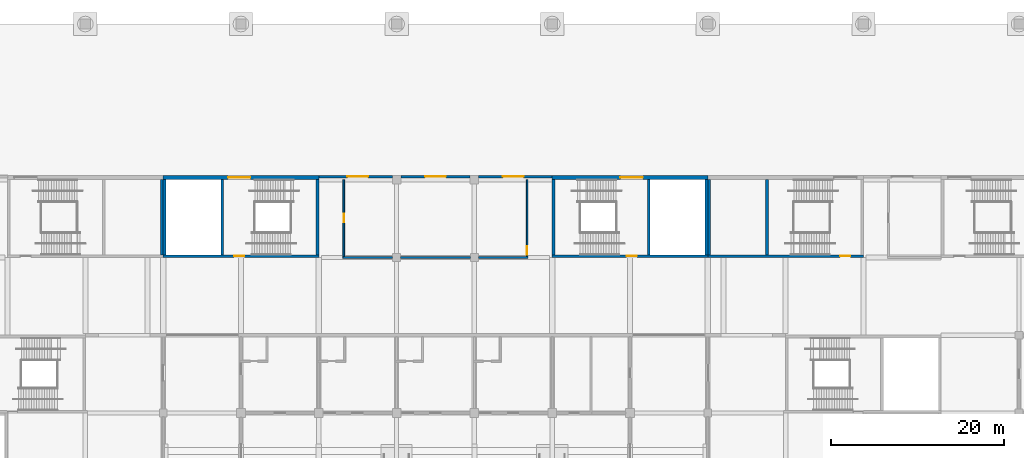
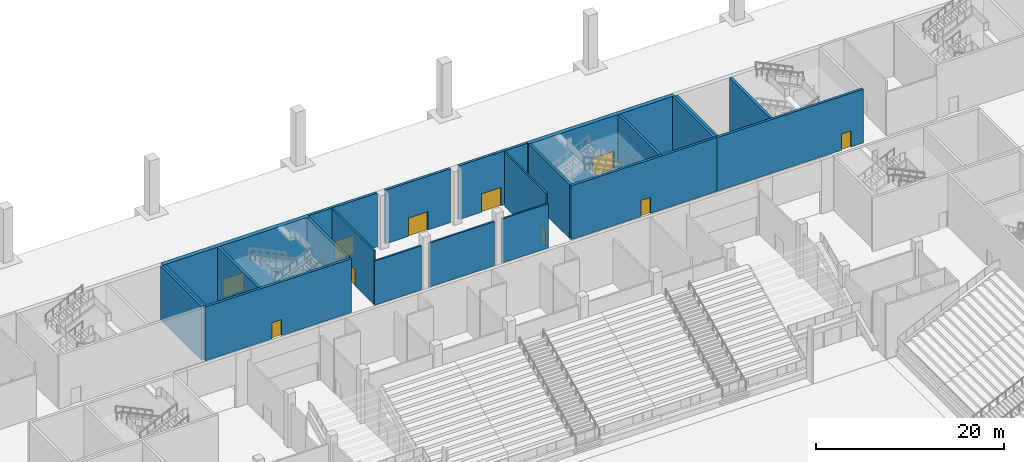
# One storey, part 40 of 92: 22 walls, 10 doors, 10 openings.
"""IFC4 building model written with IfcOpenShell, lengths in metres."""

from ifc_helpers import new_model, si_unit, direction, frame, frame_2d, origin, place, context, subcontext, project, spatial, rectangle, extrude, material, layer, layer_set, type_object, element, fill, save


model = new_model("IFC4")

# Units and contexts
model_context = context("Model", 3, precision=1e-05, world=origin(), true_north=direction((0.0, 1.0)))
body_context = subcontext(model_context, "Body", "Model", "MODEL_VIEW")
ifc_project = project(units=[si_unit("LENGTHUNIT", "METRE"), si_unit("AREAUNIT", "SQUARE_METRE"), si_unit("VOLUMEUNIT", "CUBIC_METRE"), si_unit("PLANEANGLEUNIT", "RADIAN"), si_unit("MASSUNIT", "GRAM", prefix="KILO")], contexts=[model_context])

# Site, building, storey
site_placement = place(None, origin())
site = spatial("IfcSite", under=ifc_project, at=site_placement, CompositionType="ELEMENT")
building_placement = place(site_placement, origin())
building = spatial("IfcBuilding", under=site, at=building_placement, Name="Silverbay Arena", CompositionType="ELEMENT")
storey_placement = place(building_placement, origin())
storey = spatial("IfcBuildingStorey", under=building, at=storey_placement, Name="L00", CompositionType="ELEMENT", Elevation=0.0)

# Wall, opening, door
ifc_material_1 = material(Name="Concrete Grade C45 precast, board-marked finish", Category="concrete")
ifc_layer_1 = layer(ifc_material_1, 0.300048828125)
ifc_layer_set_1 = layer_set([ifc_layer_1], Name="Concrete Grade C45 precast, board-marked finish")
wall_type_1 = type_object("IfcWallType", Name="Board-marked precast wall 300", PredefinedType="SOLIDWALL", material=ifc_layer_set_1)
wall_1_placement = place(storey_placement, frame((125.5, 144.35009765625, 0.0), z_axis=(0.0, 0.0, 1.0), x_axis=(-1.0, 0.0, 0.0)))
wall_1 = element("IfcWall", 1, at=wall_1_placement, inside=storey, type_object=wall_type_1, Name="North external wall L00 bay 11", PredefinedType="SOLIDWALL", context=body_context, shape_type="SweptSolid", body=[
    extrude(rectangle(XDim=8.5, YDim=0.300048828125, at=frame_2d((4.25, 0.0))), origin(), (0.0, 0.0, 1.0), 7.0),
])
opening_1_placement = place(wall_1_placement, frame((2.800048828125, 0.0, 0.0)))
opening_1 = element("IfcOpeningElement", 2, at=opening_1_placement, cuts=wall_1, Name="Opening L00-132", PredefinedType="OPENING", context=body_context, shape_type="SweptSolid", body=[
    extrude(rectangle(XDim=2.39990234375, YDim=2.39990234375, at=frame_2d((1.199951171875, 1.199951171875))), frame((0.0, 0.16015625, 0.0), z_axis=(0.0, -1.0, 0.0), x_axis=(1.0, 0.0, 0.0)), (0.0, 0.0, 1.0), 0.320068359375),
])
ifc_material_2 = material(Name="Steel", Category="steel")
door_type_1 = type_object("IfcDoorType", Name="Exit gate door 2400 x 2400", OperationType="DOUBLE_DOOR_SINGLE_SWING", PredefinedType="DOOR", material=ifc_material_2)
door_1_placement = place(opening_1_placement, frame((2.39990234375, 0.0, 0.0), z_axis=(0.0, 0.0, 1.0), x_axis=(-1.0, 0.0, 0.0)))
door_1 = element("IfcDoor", 3, at=door_1_placement, inside=storey, type_object=door_type_1, Name="Pedestrian exit gate G32", OperationType="DOUBLE_DOOR_SINGLE_SWING", OverallHeight=2.39990234375, OverallWidth=2.39990234375, PredefinedType="DOOR", context=body_context, shape_type="SweptSolid", body=[
    extrude(rectangle(XDim=2.39990234375, YDim=2.39990234375, at=frame_2d((1.199951171875, 1.199951171875))), frame((0.0, 0.02490234375, 0.0), z_axis=(0.0, -1.0, 0.0), x_axis=(1.0, 0.0, 0.0)), (0.0, 0.0, 1.0), 0.050048828125),
])
fill(opening_1, door_1)

wall_2_placement = place(storey_placement, frame((134.5, 144.35009765625, 0.0), z_axis=(0.0, 0.0, 1.0), x_axis=(-1.0, 0.0, 0.0)))
wall_2 = element("IfcWall", 4, at=wall_2_placement, inside=storey, type_object=wall_type_1, Name="North external wall L00 bay 12", PredefinedType="SOLIDWALL", context=body_context, shape_type="SweptSolid", body=[
    extrude(rectangle(XDim=8.0, YDim=0.300048828125, at=frame_2d((4.0, 0.0))), origin(), (0.0, 0.0, 1.0), 7.0),
])
opening_2_placement = place(wall_2_placement, frame((2.800048828125, 0.0, 0.0)))
opening_2 = element("IfcOpeningElement", 5, at=opening_2_placement, cuts=wall_2, Name="Opening L00-133", PredefinedType="OPENING", context=body_context, shape_type="SweptSolid", body=[
    extrude(rectangle(XDim=2.39990234375, YDim=2.39990234375, at=frame_2d((1.199951171875, 1.199951171875))), frame((0.0, 0.16015625, 0.0), z_axis=(0.0, -1.0, 0.0), x_axis=(1.0, 0.0, 0.0)), (0.0, 0.0, 1.0), 0.320068359375),
])
door_2_placement = place(opening_2_placement, frame((2.39990234375, 0.0, 0.0), z_axis=(0.0, 0.0, 1.0), x_axis=(-1.0, 0.0, 0.0)))
door_2 = element("IfcDoor", 6, at=door_2_placement, inside=storey, type_object=door_type_1, Name="Pedestrian exit gate G33", OperationType="DOUBLE_DOOR_SINGLE_SWING", OverallHeight=2.39990234375, OverallWidth=2.39990234375, PredefinedType="DOOR", context=body_context, shape_type="SweptSolid", body=[
    extrude(rectangle(XDim=2.39990234375, YDim=2.39990234375, at=frame_2d((1.199951171875, 1.199951171875))), frame((0.0, 0.02490234375, 0.0), z_axis=(0.0, -1.0, 0.0), x_axis=(1.0, 0.0, 0.0)), (0.0, 0.0, 1.0), 0.050048828125),
])
fill(opening_2, door_2)

wall_3_placement = place(storey_placement, frame((144.0, 144.35009765625, 0.0), z_axis=(0.0, 0.0, 1.0), x_axis=(-1.0, 0.0, 0.0)))
wall_3 = element("IfcWall", 7, at=wall_3_placement, inside=storey, type_object=wall_type_1, Name="North external wall L00 bay 13", PredefinedType="SOLIDWALL", context=body_context, shape_type="SweptSolid", body=[
    extrude(rectangle(XDim=8.5, YDim=0.300048828125, at=frame_2d((4.25, 0.0))), origin(), (0.0, 0.0, 1.0), 7.0),
])
opening_3_placement = place(wall_3_placement, frame((3.300048828125, 0.0, 0.0)))
opening_3 = element("IfcOpeningElement", 8, at=opening_3_placement, cuts=wall_3, Name="Opening L00-134", PredefinedType="OPENING", context=body_context, shape_type="SweptSolid", body=[
    extrude(rectangle(XDim=2.39990234375, YDim=2.39990234375, at=frame_2d((1.199951171875, 1.199951171875))), frame((0.0, 0.16015625, 0.0), z_axis=(0.0, -1.0, 0.0), x_axis=(1.0, 0.0, 0.0)), (0.0, 0.0, 1.0), 0.320068359375),
])
door_3_placement = place(opening_3_placement, frame((2.39990234375, 0.0, 0.0), z_axis=(0.0, 0.0, 1.0), x_axis=(-1.0, 0.0, 0.0)))
door_3 = element("IfcDoor", 9, at=door_3_placement, inside=storey, type_object=door_type_1, Name="Pedestrian exit gate G34", OperationType="DOUBLE_DOOR_SINGLE_SWING", OverallHeight=2.39990234375, OverallWidth=2.39990234375, PredefinedType="DOOR", context=body_context, shape_type="SweptSolid", body=[
    extrude(rectangle(XDim=2.39990234375, YDim=2.39990234375, at=frame_2d((1.199951171875, 1.199951171875))), frame((0.0, 0.02490234375, 0.0), z_axis=(0.0, -1.0, 0.0), x_axis=(1.0, 0.0, 0.0)), (0.0, 0.0, 1.0), 0.050048828125),
])
fill(opening_3, door_3)

# Wall
ifc_material_3 = material(Name="Concrete Grade C45", Category="concrete")
ifc_layer_2 = layer(ifc_material_3, 0.300048828125)
ifc_layer_set_2 = layer_set([ifc_layer_2], Name="Concrete Grade C45")
wall_type_2 = type_object("IfcWallType", Name="Core wall RC 300 EI 120", PredefinedType="SHEAR", material=ifc_layer_set_2)
wall_4_placement = place(storey_placement, frame((98.85009765625, 135.300048828125, 0.0), z_axis=(0.0, 0.0, 1.0), x_axis=(0.0, 1.0, 0.0)))
element("IfcWall", 10, at=wall_4_placement, inside=storey, type_object=wall_type_2, Name="Core wall ST-N1 L00 end 2", PredefinedType="SHEAR", context=body_context, shape_type="SweptSolid", body=[
    extrude(rectangle(XDim=8.699951171875, YDim=0.300048828125, at=frame_2d((4.35009765625, 0.0))), origin(), (0.0, 0.0, 1.0), 7.0),
])

# Wall, opening, door
wall_5_placement = place(storey_placement, frame((117.0, 135.14990234375, 0.0), z_axis=(0.0, 0.0, 1.0), x_axis=(-1.0, 0.0, 0.0)))
wall_5 = element("IfcWall", 11, at=wall_5_placement, inside=storey, type_object=wall_type_2, Name="Core wall ST-N2 L00 door side", PredefinedType="SHEAR", context=body_context, shape_type="SweptSolid", body=[
    extrude(rectangle(XDim=18.0, YDim=0.300048828125, at=frame_2d((9.0, 0.0))), origin(), (0.0, 0.0, 1.0), 7.0),
])
opening_4_placement = place(wall_5_placement, frame((8.60009765625, 0.0, 0.0)))
opening_4 = element("IfcOpeningElement", 12, at=opening_4_placement, cuts=wall_5, Name="Opening L00-168", PredefinedType="OPENING", context=body_context, shape_type="SweptSolid", body=[
    extrude(rectangle(XDim=1.199951171875, YDim=2.10009765625, at=frame_2d((0.60009765625, 1.050048828125))), frame((0.0, 0.16015625, 0.0), z_axis=(0.0, -1.0, 0.0), x_axis=(1.0, 0.0, 0.0)), (0.0, 0.0, 1.0), 0.320068359375),
])
ifc_material_4 = material(Name="Steel fire door", Category="steel")
door_type_2 = type_object("IfcDoorType", Name="Stair door 1200 x 2100 fire door", OperationType="SINGLE_SWING_LEFT", PredefinedType="DOOR", material=ifc_material_4)
door_4_placement = place(opening_4_placement, frame((1.199951171875, 0.0, 0.0), z_axis=(0.0, 0.0, 1.0), x_axis=(-1.0, 0.0, 0.0)))
door_4 = element("IfcDoor", 13, at=door_4_placement, inside=storey, type_object=door_type_2, Name="Stair door ST-N2 L00", OperationType="SINGLE_SWING_LEFT", OverallHeight=2.10009765625, OverallWidth=1.199951171875, PredefinedType="DOOR", context=body_context, shape_type="SweptSolid", body=[
    extrude(rectangle(XDim=1.199951171875, YDim=2.10009765625, at=frame_2d((0.60009765625, 1.050048828125))), frame((0.0, 0.02490234375, 0.0), z_axis=(0.0, -1.0, 0.0), x_axis=(1.0, 0.0, 0.0)), (0.0, 0.0, 1.0), 0.050048828125),
])
fill(opening_4, door_4)

# Walls
for number, where, z_axis, x_axis, name in (
    (14, (116.85009765625, 135.300048828125, 0.0), (0.0, 0.0, 1.0), (0.0, 1.0, 0.0), "Core wall ST-N2 L00 end 1"),
    (15, (99.14990234375, 135.300048828125, 0.0), (0.0, 0.0, 1.0), (0.0, 1.0, 0.0), "Core wall ST-N2 L00 end 2"),
    (16, (105.85009765625, 135.300048828125, 0.0), (0.0, 0.0, 1.0), (0.0, 1.0, 0.0), "Core wall ST-N2 L00 stair enclosure"),
):
    element("IfcWall", number, at=place(storey_placement, frame(where, z_axis=z_axis, x_axis=x_axis)), inside=storey, type_object=wall_type_2, Name=name, PredefinedType="SHEAR", context=body_context, shape_type="SweptSolid", body=[
        extrude(rectangle(XDim=8.699951171875, YDim=0.300048828125, at=frame_2d((4.35009765625, 0.0))), origin(), (0.0, 0.0, 1.0), 7.0),
    ])

# Wall, opening, door
wall_6_placement = place(storey_placement, frame((144.0, 135.14990234375, 0.0), z_axis=(0.0, 0.0, 1.0), x_axis=(1.0, 0.0, 0.0)))
wall_6 = element("IfcWall", 17, at=wall_6_placement, inside=storey, type_object=wall_type_2, Name="Core wall ST-N3 L00 door side", PredefinedType="SHEAR", context=body_context, shape_type="SweptSolid", body=[
    extrude(rectangle(XDim=18.0, YDim=0.300048828125, at=frame_2d((9.0, 0.0))), origin(), (0.0, 0.0, 1.0), 7.0),
])
opening_5_placement = place(wall_6_placement, frame((8.60009765625, 0.0, 0.0)))
opening_5 = element("IfcOpeningElement", 18, at=opening_5_placement, cuts=wall_6, Name="Opening L00-170", PredefinedType="OPENING", context=body_context, shape_type="SweptSolid", body=[
    extrude(rectangle(XDim=1.199951171875, YDim=2.10009765625, at=frame_2d((0.60009765625, 1.050048828125))), frame((0.0, 0.16015625, 0.0), z_axis=(0.0, -1.0, 0.0), x_axis=(1.0, 0.0, 0.0)), (0.0, 0.0, 1.0), 0.320068359375),
])
door_5_placement = place(opening_5_placement, origin())
door_5 = element("IfcDoor", 19, at=door_5_placement, inside=storey, type_object=door_type_2, Name="Stair door ST-N3 L00", OperationType="SINGLE_SWING_RIGHT", OverallHeight=2.10009765625, OverallWidth=1.199951171875, PredefinedType="DOOR", context=body_context, shape_type="SweptSolid", body=[
    extrude(rectangle(XDim=1.199951171875, YDim=2.10009765625, at=frame_2d((0.60009765625, 1.050048828125))), frame((0.0, 0.02490234375, 0.0), z_axis=(0.0, -1.0, 0.0), x_axis=(1.0, 0.0, 0.0)), (0.0, 0.0, 1.0), 0.050048828125),
])
fill(opening_5, door_5)

# Walls
for number, where, z_axis, x_axis, name in (
    (20, (144.14990234375, 135.300048828125, 0.0), (0.0, 0.0, 1.0), (0.0, 1.0, 0.0), "Core wall ST-N3 L00 end 1"),
    (21, (161.85009765625, 135.300048828125, 0.0), (0.0, 0.0, 1.0), (0.0, 1.0, 0.0), "Core wall ST-N3 L00 end 2"),
    (22, (155.14990234375, 135.300048828125, 0.0), (0.0, 0.0, 1.0), (0.0, 1.0, 0.0), "Core wall ST-N3 L00 stair enclosure"),
):
    element("IfcWall", number, at=place(storey_placement, frame(where, z_axis=z_axis, x_axis=x_axis)), inside=storey, type_object=wall_type_2, Name=name, PredefinedType="SHEAR", context=body_context, shape_type="SweptSolid", body=[
        extrude(rectangle(XDim=8.699951171875, YDim=0.300048828125, at=frame_2d((4.35009765625, 0.0))), origin(), (0.0, 0.0, 1.0), 7.0),
    ])

# Wall, opening, door
wall_7_placement = place(storey_placement, frame((180.0, 135.14990234375, 0.0), z_axis=(0.0, 0.0, 1.0), x_axis=(-1.0, 0.0, 0.0)))
wall_7 = element("IfcWall", 23, at=wall_7_placement, inside=storey, type_object=wall_type_2, Name="Core wall ST-N4 L00 door side", PredefinedType="SHEAR", context=body_context, shape_type="SweptSolid", body=[
    extrude(rectangle(XDim=18.0, YDim=0.300048828125, at=frame_2d((9.0, 0.0))), origin(), (0.0, 0.0, 1.0), 7.0),
])
opening_6_placement = place(wall_7_placement, frame((1.5, 0.0, 0.0)))
opening_6 = element("IfcOpeningElement", 24, at=opening_6_placement, cuts=wall_7, Name="Opening L00-172", PredefinedType="OPENING", context=body_context, shape_type="SweptSolid", body=[
    extrude(rectangle(XDim=1.199951171875, YDim=2.10009765625, at=frame_2d((0.60009765625, 1.050048828125))), frame((0.0, 0.16015625, 0.0), z_axis=(0.0, -1.0, 0.0), x_axis=(1.0, 0.0, 0.0)), (0.0, 0.0, 1.0), 0.320068359375),
])
door_6_placement = place(opening_6_placement, frame((1.199951171875, 0.0, 0.0), z_axis=(0.0, 0.0, 1.0), x_axis=(-1.0, 0.0, 0.0)))
door_6 = element("IfcDoor", 25, at=door_6_placement, inside=storey, type_object=door_type_2, Name="Stair door ST-N4 L00", OperationType="SINGLE_SWING_RIGHT", OverallHeight=2.10009765625, OverallWidth=1.199951171875, PredefinedType="DOOR", context=body_context, shape_type="SweptSolid", body=[
    extrude(rectangle(XDim=1.199951171875, YDim=2.10009765625, at=frame_2d((0.60009765625, 1.050048828125))), frame((0.0, 0.02490234375, 0.0), z_axis=(0.0, -1.0, 0.0), x_axis=(1.0, 0.0, 0.0)), (0.0, 0.0, 1.0), 0.050048828125),
])
fill(opening_6, door_6)

# Walls
for number, where, z_axis, x_axis, name in (
    (26, (162.14990234375, 135.300048828125, 0.0), (0.0, 0.0, 1.0), (0.0, 1.0, 0.0), "Core wall ST-N4 L00 end 2"),
    (27, (168.85009765625, 135.300048828125, 0.0), (0.0, 0.0, 1.0), (0.0, 1.0, 0.0), "Core wall ST-N4 L00 stair enclosure"),
):
    element("IfcWall", number, at=place(storey_placement, frame(where, z_axis=z_axis, x_axis=x_axis)), inside=storey, type_object=wall_type_2, Name=name, PredefinedType="SHEAR", context=body_context, shape_type="SweptSolid", body=[
        extrude(rectangle(XDim=8.699951171875, YDim=0.300048828125, at=frame_2d((4.35009765625, 0.0))), origin(), (0.0, 0.0, 1.0), 7.0),
    ])

# Wall, opening, door
ifc_material_5 = material(Name="Concrete Grade C45", Category="concrete")
ifc_layer_3 = layer(ifc_material_5, 0.5)
ifc_layer_set_3 = layer_set([ifc_layer_3], Name="Concrete Grade C45")
wall_type_3 = type_object("IfcWallType", Name="Core wall RC 500 external EI 120", PredefinedType="SHEAR", material=ifc_layer_set_3)
wall_8_placement = place(storey_placement, frame((117.0, 144.25, 0.0), z_axis=(0.0, 0.0, 1.0), x_axis=(-1.0, 0.0, 0.0)))
wall_8 = element("IfcWall", 28, at=wall_8_placement, inside=storey, type_object=wall_type_3, Name="Core wall ST-N2 L00 facade side", PredefinedType="SHEAR", context=body_context, shape_type="SweptSolid", body=[
    extrude(rectangle(XDim=18.0, YDim=0.5, at=frame_2d((9.0, 0.0))), origin(), (0.0, 0.0, 1.0), 7.0),
])
opening_7_placement = place(wall_8_placement, frame((7.89990234375, 0.0, 0.0)))
opening_7 = element("IfcOpeningElement", 29, at=opening_7_placement, cuts=wall_8, Name="Opening L00-169", PredefinedType="OPENING", context=body_context, shape_type="SweptSolid", body=[
    extrude(rectangle(XDim=2.60009765625, YDim=2.39990234375, at=frame_2d((1.300048828125, 1.199951171875))), frame((0.0, 0.260009765625, 0.0), z_axis=(0.0, -1.0, 0.0), x_axis=(1.0, 0.0, 0.0)), (0.0, 0.0, 1.0), 0.52001953125),
])
ifc_material_6 = material(Name="Steel and glass", Category="steel")
door_type_3 = type_object("IfcDoorType", Name="Exit door double leaf 2600 x 2400", OperationType="DOUBLE_DOOR_SINGLE_SWING", PredefinedType="DOOR", material=ifc_material_6)
door_7_placement = place(opening_7_placement, frame((2.60009765625, 0.0, 0.0), z_axis=(0.0, 0.0, 1.0), x_axis=(-1.0, 0.0, 0.0)))
door_7 = element("IfcDoor", 30, at=door_7_placement, inside=storey, type_object=door_type_3, Name="Pedestrian exit gate G66", OperationType="DOUBLE_DOOR_SINGLE_SWING", OverallHeight=2.39990234375, OverallWidth=2.60009765625, PredefinedType="DOOR", context=body_context, shape_type="SweptSolid", body=[
    extrude(rectangle(XDim=2.60009765625, YDim=2.39990234375, at=frame_2d((1.300048828125, 1.199951171875))), frame((0.0, 0.02490234375, 0.0), z_axis=(0.0, -1.0, 0.0), x_axis=(1.0, 0.0, 0.0)), (0.0, 0.0, 1.0), 0.050048828125),
])
fill(opening_7, door_7)

wall_9_placement = place(storey_placement, frame((144.0, 144.25, 0.0), z_axis=(0.0, 0.0, 1.0), x_axis=(1.0, 0.0, 0.0)))
wall_9 = element("IfcWall", 31, at=wall_9_placement, inside=storey, type_object=wall_type_3, Name="Core wall ST-N3 L00 facade side", PredefinedType="SHEAR", context=body_context, shape_type="SweptSolid", body=[
    extrude(rectangle(XDim=18.0, YDim=0.5, at=frame_2d((9.0, 0.0))), origin(), (0.0, 0.0, 1.0), 7.0),
])
opening_8_placement = place(wall_9_placement, frame((7.89990234375, 0.0, 0.0)))
opening_8 = element("IfcOpeningElement", 32, at=opening_8_placement, cuts=wall_9, Name="Opening L00-171", PredefinedType="OPENING", context=body_context, shape_type="SweptSolid", body=[
    extrude(rectangle(XDim=2.60009765625, YDim=2.39990234375, at=frame_2d((1.300048828125, 1.199951171875))), frame((0.0, 0.260009765625, 0.0), z_axis=(0.0, -1.0, 0.0), x_axis=(1.0, 0.0, 0.0)), (0.0, 0.0, 1.0), 0.52001953125),
])
door_8_placement = place(opening_8_placement, origin())
door_8 = element("IfcDoor", 33, at=door_8_placement, inside=storey, type_object=door_type_3, Name="Pedestrian exit gate G67", OperationType="DOUBLE_DOOR_SINGLE_SWING", OverallHeight=2.39990234375, OverallWidth=2.60009765625, PredefinedType="DOOR", context=body_context, shape_type="SweptSolid", body=[
    extrude(rectangle(XDim=2.60009765625, YDim=2.39990234375, at=frame_2d((1.300048828125, 1.199951171875))), frame((0.0, 0.02490234375, 0.0), z_axis=(0.0, -1.0, 0.0), x_axis=(1.0, 0.0, 0.0)), (0.0, 0.0, 1.0), 0.050048828125),
])
fill(opening_8, door_8)

# Walls
ifc_material_7 = material(Name="Masonry blockwork partition", Category="masonry")
ifc_layer_4 = layer(ifc_material_7, 0.199951171875)
ifc_layer_set_4 = layer_set([ifc_layer_4], Name="Masonry blockwork partition")
wall_type_4 = type_object("IfcWallType", Name="Partition 200 EI 120", PredefinedType="PARTITIONING", material=ifc_layer_set_4)
wall_10_placement = place(storey_placement, frame((135.449951171875, 135.0, 0.0), z_axis=(0.0, 0.0, 1.0), x_axis=(1.0, 0.0, 0.0)))
element("IfcWall", 34, at=wall_10_placement, inside=storey, type_object=wall_type_4, Name="Partition wall", PredefinedType="PARTITIONING", context=body_context, shape_type="SweptSolid", body=[
    extrude(rectangle(XDim=5.75, YDim=0.199951171875, at=frame_2d((2.875, 0.0))), origin(), (0.0, 0.0, 1.0), 5.75),
])
wall_11_placement = place(storey_placement, frame((126.449951171875, 135.0, 0.0), z_axis=(0.0, 0.0, 1.0), x_axis=(1.0, 0.0, 0.0)))
element("IfcWall", 35, at=wall_11_placement, inside=storey, type_object=wall_type_4, Name="Partition wall", PredefinedType="PARTITIONING", context=body_context, shape_type="SweptSolid", body=[
    extrude(rectangle(XDim=8.10009765625, YDim=0.199951171875, at=frame_2d((4.050048828125, 0.0))), origin(), (0.0, 0.0, 1.0), 5.75),
])
wall_12_placement = place(storey_placement, frame((119.800048828125, 135.0, 0.0), z_axis=(0.0, 0.0, 1.0), x_axis=(1.0, 0.0, 0.0)))
element("IfcWall", 36, at=wall_12_placement, inside=storey, type_object=wall_type_4, Name="Partition wall", PredefinedType="PARTITIONING", context=body_context, shape_type="SweptSolid", body=[
    extrude(rectangle(XDim=5.75, YDim=0.199951171875, at=frame_2d((2.875, 0.0))), origin(), (0.0, 0.0, 1.0), 5.75),
])

# Wall, opening, door
wall_13_placement = place(storey_placement, frame((119.89990234375, 135.10009765625, 0.0), z_axis=(0.0, 0.0, 1.0), x_axis=(0.0, 1.0, 0.0)))
wall_13 = element("IfcWall", 37, at=wall_13_placement, inside=storey, type_object=wall_type_4, Name="Partition wall", PredefinedType="PARTITIONING", context=body_context, shape_type="SweptSolid", body=[
    extrude(rectangle(XDim=8.89990234375, YDim=0.199951171875, at=frame_2d((4.449951171875, 0.0))), origin(), (0.0, 0.0, 1.0), 7.0),
])
opening_9_placement = place(wall_13_placement, frame((3.949951171875, 0.0, 0.0)))
opening_9 = element("IfcOpeningElement", 38, at=opening_9_placement, cuts=wall_13, Name="Opening L00-005", PredefinedType="OPENING", context=body_context, shape_type="SweptSolid", body=[
    extrude(rectangle(XDim=1.0, YDim=2.10009765625, at=frame_2d((0.5, 1.050048828125))), frame((0.0, 0.10986328125, 0.0), z_axis=(0.0, -1.0, 0.0), x_axis=(1.0, 0.0, 0.0)), (0.0, 0.0, 1.0), 0.219970703125),
])
ifc_material_8 = material(Name="Steel faced timber", Category="steel")
door_type_4 = type_object("IfcDoorType", Name="Single leaf door 1000 x 2100 FD120", OperationType="SINGLE_SWING_LEFT", PredefinedType="DOOR", material=ifc_material_8)
door_9_placement = place(opening_9_placement, frame((1.0, 0.0, 0.0), z_axis=(0.0, 0.0, 1.0), x_axis=(-1.0, 0.0, 0.0)))
door_9 = element("IfcDoor", 39, at=door_9_placement, inside=storey, type_object=door_type_4, Name="Door L00-005", OperationType="SINGLE_SWING_RIGHT", OverallHeight=2.10009765625, OverallWidth=1.0, PredefinedType="DOOR", context=body_context, shape_type="SweptSolid", body=[
    extrude(rectangle(XDim=1.0, YDim=2.10009765625, at=frame_2d((0.5, 1.050048828125))), frame((0.0, 0.02490234375, 0.0), z_axis=(0.0, -1.0, 0.0), x_axis=(1.0, 0.0, 0.0)), (0.0, 0.0, 1.0), 0.050048828125),
])
fill(opening_9, door_9)

wall_14_placement = place(storey_placement, frame((141.10009765625, 135.10009765625, 0.0), z_axis=(0.0, 0.0, 1.0), x_axis=(0.0, 1.0, 0.0)))
wall_14 = element("IfcWall", 40, at=wall_14_placement, inside=storey, type_object=wall_type_4, Name="Partition wall", PredefinedType="PARTITIONING", context=body_context, shape_type="SweptSolid", body=[
    extrude(rectangle(XDim=8.89990234375, YDim=0.199951171875, at=frame_2d((4.449951171875, 0.0))), origin(), (0.0, 0.0, 1.0), 7.0),
])
opening_10_placement = place(wall_14_placement, frame((0.199951171875, 0.0, 0.0)))
opening_10 = element("IfcOpeningElement", 41, at=opening_10_placement, cuts=wall_14, Name="Opening L00-092", PredefinedType="OPENING", context=body_context, shape_type="SweptSolid", body=[
    extrude(rectangle(XDim=1.0, YDim=2.10009765625, at=frame_2d((0.5, 1.050048828125))), frame((0.0, 0.10986328125, 0.0), z_axis=(0.0, -1.0, 0.0), x_axis=(1.0, 0.0, 0.0)), (0.0, 0.0, 1.0), 0.219970703125),
])
door_10_placement = place(opening_10_placement, origin())
door_10 = element("IfcDoor", 42, at=door_10_placement, inside=storey, type_object=door_type_4, Name="Door L00-092", OperationType="SINGLE_SWING_LEFT", OverallHeight=2.10009765625, OverallWidth=1.0, PredefinedType="DOOR", context=body_context, shape_type="SweptSolid", body=[
    extrude(rectangle(XDim=1.0, YDim=2.10009765625, at=frame_2d((0.5, 1.050048828125))), frame((0.0, 0.02490234375, 0.0), z_axis=(0.0, -1.0, 0.0), x_axis=(1.0, 0.0, 0.0)), (0.0, 0.0, 1.0), 0.050048828125),
])
fill(opening_10, door_10)

save(model, "model.ifc")
